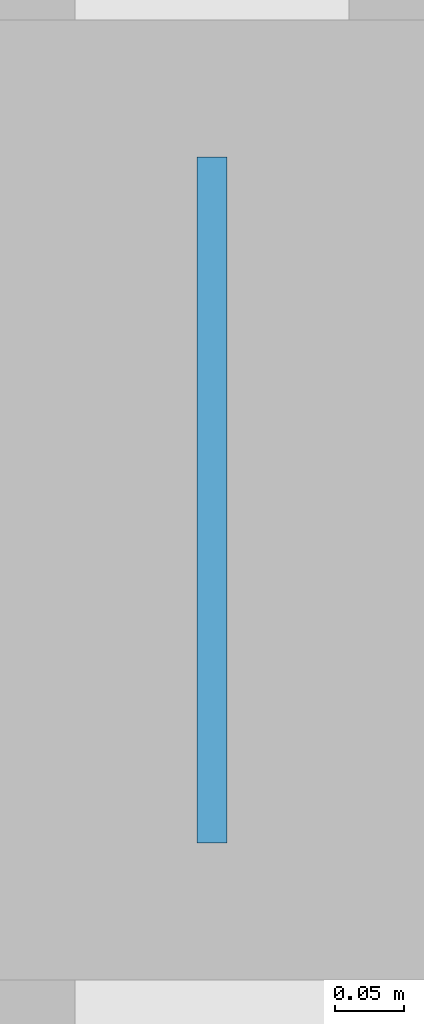
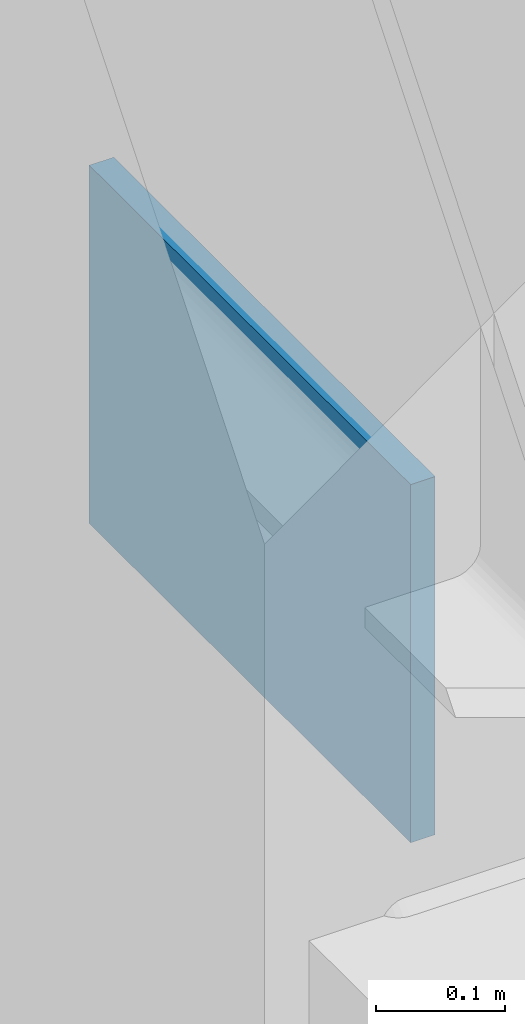
# One storey, part 84 of 122: 1 plate.
"""IFC4 building model written with IfcOpenShell, lengths in metres."""

import ifcopenshell
import ifcopenshell.guid

model = None  # the IFC model being written
_history = None  # IfcOwnerHistory: only IFC2X3 demands one
_inside = {}  # id of a spatial element -> (the spatial element, [elements in it])
_under = {}  # id of a project, library or spatial element -> (it, [spatial elements below it])
_declared = {}  # id of a project -> (the project, [libraries it declares])
_typed = {}  # id of a type object -> (the type object, [elements of that type])
_made_of = {}  # id of a material, layer set ... -> (it, [elements and type objects made of it])


def new_model(schema):
    """Start an empty IFC model of exactly this schema.

    Asked for "IFC4X3", IfcOpenShell would pick the latest addendum, in which some entities
    have other attributes; the version numbers below select the first issue.
    IFC2X3 requires an IfcOwnerHistory on every rooted entity: one is made here for all.
    """
    global model, _history
    if schema == "IFC4X3":
        model = ifcopenshell.file(schema_version=(4, 3, 0, 0))
    else:
        model = ifcopenshell.file(schema=schema)
    _inside.clear()
    _under.clear()
    _declared.clear()
    _typed.clear()
    _made_of.clear()
    _history = None
    if model.schema == "IFC2X3":
        org = make("IfcOrganization", Name="unknown")
        user = make(
            "IfcPersonAndOrganization",
            ThePerson=make("IfcPerson", FamilyName="unknown"),
            TheOrganization=org,
        )
        app = make(
            "IfcApplication",
            ApplicationDeveloper=org,
            Version="unknown",
            ApplicationFullName="unknown",
            ApplicationIdentifier="unknown",
        )
        _history = make(
            "IfcOwnerHistory",
            OwningUser=user,
            OwningApplication=app,
            ChangeAction="ADDED",
            CreationDate=0,
        )
    return model


def make(cls, **values):
    """One entity of the class cls with the attributes given. An attribute that is None is left unset."""
    return model.create_entity(
        cls, **{name: value for name, value in values.items() if value is not None}
    )


def rooted(cls, **values):
    """An entity with a GlobalId (a new one), such as an element, a storey or a relation."""
    return make(cls, GlobalId=ifcopenshell.guid.new(), OwnerHistory=_history, **values)


def si_unit(unit_type, name, prefix=None):
    """IfcSIUnit, for example si_unit("LENGTHUNIT", "METRE", prefix="MILLI")."""
    return make("IfcSIUnit", UnitType=unit_type, Prefix=prefix, Name=name)


def assignment(units):
    """IfcUnitAssignment: the units of a project."""
    return None if units is None else make("IfcUnitAssignment", Units=units)


def point(xyz):
    """IfcCartesianPoint."""
    return None if xyz is None else make("IfcCartesianPoint", Coordinates=xyz)


def direction(xyz):
    """IfcDirection."""
    return None if xyz is None else make("IfcDirection", DirectionRatios=xyz)


def frame(location, z_axis=None, x_axis=None):
    """IfcAxis2Placement3D, a coordinate frame: its origin and axes. An axis left out is left unset."""
    return make(
        "IfcAxis2Placement3D",
        Location=point(location),
        Axis=direction(z_axis),
        RefDirection=direction(x_axis),
    )


def frame_2d(location, x_axis=None):
    """IfcAxis2Placement2D, a coordinate frame in the plane: its origin and x axis."""
    return make(
        "IfcAxis2Placement2D", Location=point(location), RefDirection=direction(x_axis)
    )


def origin():
    """The frame at (0, 0, 0) with its axes left unset."""
    return frame((0.0, 0.0, 0.0))


def origin_2d():
    """The frame at (0, 0) in the plane with its x axis left unset."""
    return frame_2d((0.0, 0.0))


def place(relative_to, where):
    """IfcLocalPlacement: puts the frame where relative to a parent placement (None: the world)."""
    return make(
        "IfcLocalPlacement", PlacementRelTo=relative_to, RelativePlacement=where
    )


def context(
    kind, dimensions, precision=None, world=None, true_north=None, identifier=None
):
    """IfcGeometricRepresentationContext, for example the 3D "Model" context."""
    return make(
        "IfcGeometricRepresentationContext",
        ContextIdentifier=identifier,
        ContextType=kind,
        CoordinateSpaceDimension=dimensions,
        Precision=precision,
        WorldCoordinateSystem=world,
        TrueNorth=true_north,
    )


def subcontext(parent, identifier, kind, view, scale=None):
    """IfcGeometricRepresentationSubContext, for example "Body" below "Model"."""
    return make(
        "IfcGeometricRepresentationSubContext",
        ContextIdentifier=identifier,
        ContextType=kind,
        ParentContext=parent,
        TargetScale=scale,
        TargetView=view,
    )


def project(units=None, contexts=None):
    """IfcProject with its units and contexts."""
    return rooted(
        "IfcProject",
        Name="project",
        RepresentationContexts=contexts,
        UnitsInContext=assignment(units),
    )


def spatial(cls, under=None, at=None, **own):
    """A site, building, storey or space (cls), placed at a placement, below another one or the project."""
    s = rooted(cls, ObjectPlacement=at, **own)
    if under is not None:
        _under.setdefault(under.id(), (under, []))[1].append(s)
    return s


def profile(cls, at=None, kind="AREA", **sizes):
    """A parametric profile (cls). Its sizes go by their IFC names, for example OverallWidth=200.0."""
    return make(cls, ProfileType=kind, Position=at, **sizes)


def rectangle(**sizes):
    """IfcRectangleProfileDef."""
    return profile("IfcRectangleProfileDef", **sizes)


def extrude(swept, where, along, depth):
    """IfcExtrudedAreaSolid: the profile swept, set in the frame where, extruded along a direction by depth."""
    return make(
        "IfcExtrudedAreaSolid",
        SweptArea=swept,
        Position=where,
        ExtrudedDirection=direction(along),
        Depth=depth,
    )


def shape(context_of_items, identifier, shape_type, items):
    """IfcShapeRepresentation: the items that make up one representation, for example the "Body"."""
    return make(
        "IfcShapeRepresentation",
        ContextOfItems=context_of_items,
        RepresentationIdentifier=identifier,
        RepresentationType=shape_type,
        Items=items,
    )


def material(Name=None, Category=None):
    """IfcMaterial."""
    return make("IfcMaterial", Name=Name, Category=Category)


def layer(
    of_material, thickness, ventilated=None, Name=None, Category=None, Priority=None
):
    """IfcMaterialLayer: one layer of a wall or slab, of a material (None: an air gap)."""
    return make(
        "IfcMaterialLayer",
        Material=of_material,
        LayerThickness=thickness,
        IsVentilated=ventilated,
        Name=Name,
        Category=Category,
        Priority=Priority,
    )


def layer_set(layers, Name=None):
    """IfcMaterialLayerSet."""
    return make("IfcMaterialLayerSet", MaterialLayers=layers, LayerSetName=Name)


def made_of(thing, what):
    """Note that an element or type object is made of a material, layer set ...; save() writes the relation."""
    if what is not None:
        _made_of.setdefault(what.id(), (what, []))[1].append(thing)
    return thing


def type_object(cls, material=None, **own):
    """A type object (cls), such as IfcWallType, which elements share."""
    return made_of(rooted(cls, **own), material)


def element(
    cls,
    number,
    at=None,
    inside=None,
    cuts=None,
    type_object=None,
    material=None,
    context=None,
    identifier="Body",
    shape_type=None,
    held_by="IfcProductDefinitionShape",
    body=None,
    shapes=None,
    **own,
):
    """One element of the class cls, such as IfcWall. Its Tag is "e" and its number.

    at: its placement. inside: the storey or other place that contains it. cuts: it is an
    opening in that element (IfcRelVoidsElement). A single representation is given by context,
    identifier, shape_type and body (its items); several are given by shapes. held_by: the class
    of the entity that holds the representations. save() writes the other relations.
    """
    e = rooted(cls, Tag="e%d" % number, ObjectPlacement=at, **own)
    if body is not None:
        shapes = [shape(context, identifier, shape_type, body)]
    if shapes is not None:
        e.Representation = make(held_by, Representations=shapes)
    if inside is not None:
        _inside.setdefault(inside.id(), (inside, []))[1].append(e)
    if cuts is not None:
        rooted(
            "IfcRelVoidsElement", RelatingBuildingElement=cuts, RelatedOpeningElement=e
        )
    if type_object is not None:
        _typed.setdefault(type_object.id(), (type_object, []))[1].append(e)
    return made_of(e, material)


def aggregate(whole, parts):
    """IfcRelAggregates: a whole, such as a stair, and the parts it consists of."""
    return rooted("IfcRelAggregates", RelatingObject=whole, RelatedObjects=parts)


def save(model, path):
    """Write the relations noted so far, then the file.

    IfcRelAggregates (storeys below a building ...), IfcRelContainedInSpatialStructure (elements
    in a storey), IfcRelDefinesByType, IfcRelAssociatesMaterial and IfcRelDeclares: one each for
    every whole, place, type object, material and project.
    """
    for whole, parts in _under.values():
        aggregate(whole, parts)
    for where, things in _inside.values():
        rooted(
            "IfcRelContainedInSpatialStructure",
            RelatedElements=things,
            RelatingStructure=where,
        )
    for kind, things in _typed.values():
        rooted("IfcRelDefinesByType", RelatedObjects=things, RelatingType=kind)
    for what, things in _made_of.values():
        rooted("IfcRelAssociatesMaterial", RelatedObjects=things, RelatingMaterial=what)
    for by, libraries in _declared.values():
        rooted("IfcRelDeclares", RelatingContext=by, RelatedDefinitions=libraries)
    model.write(path)


model = new_model("IFC4")

# Units and contexts
model_context = context("Model", 3, precision=1e-05, world=origin(), true_north=direction((0.0, 1.0)))
body_context = subcontext(model_context, "Body", "Model", "MODEL_VIEW")
ifc_project = project(units=[si_unit("LENGTHUNIT", "METRE"), si_unit("AREAUNIT", "SQUARE_METRE"), si_unit("VOLUMEUNIT", "CUBIC_METRE"), si_unit("PLANEANGLEUNIT", "RADIAN"), si_unit("MASSUNIT", "GRAM", prefix="KILO")], contexts=[model_context])

# Site, building, storey
site_placement = place(None, origin())
site = spatial("IfcSite", under=ifc_project, at=site_placement, CompositionType="ELEMENT")
building_placement = place(site_placement, origin())
building = spatial("IfcBuilding", under=site, at=building_placement, Name="Qasida Concert Hall", CompositionType="ELEMENT")
storey_placement = place(building_placement, origin())
storey = spatial("IfcBuildingStorey", under=building, at=storey_placement, Name="L00", CompositionType="ELEMENT", Elevation=0.0)

# Plate
ifc_material = material(Name="Steel S355J2", Category="steel")
ifc_layer = layer(ifc_material, 0.02197265625, Name="Steel S355J2")
ifc_layer_set = layer_set([ifc_layer], Name="Steel S355J2")
plate_type = type_object("IfcPlateType", Name="PLT-PL-EC5", PredefinedType="SHEET", material=ifc_layer_set)
plate_placement = place(storey_placement, frame((165.0, 86.25, 3.60009765625), z_axis=(0.0, 0.0, 1.0), x_axis=(0.0, 1.0, 0.0)))
element("IfcPlate", 1, at=plate_placement, inside=storey, type_object=plate_type, Name="Chevron apex plate CBF-0095", PredefinedType="SHEET", context=body_context, shape_type="SweptSolid", body=[
    extrude(rectangle(XDim=0.5, YDim=0.02197265625, at=origin_2d()), origin(), (0.0, 0.0, 1.0), 0.340087890625),
])

save(model, "model.ifc")
